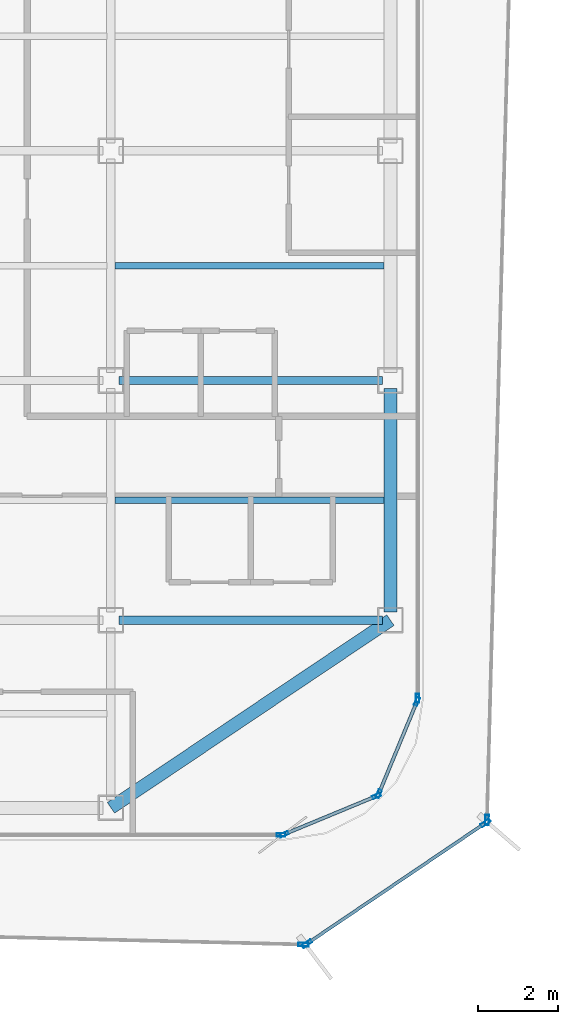
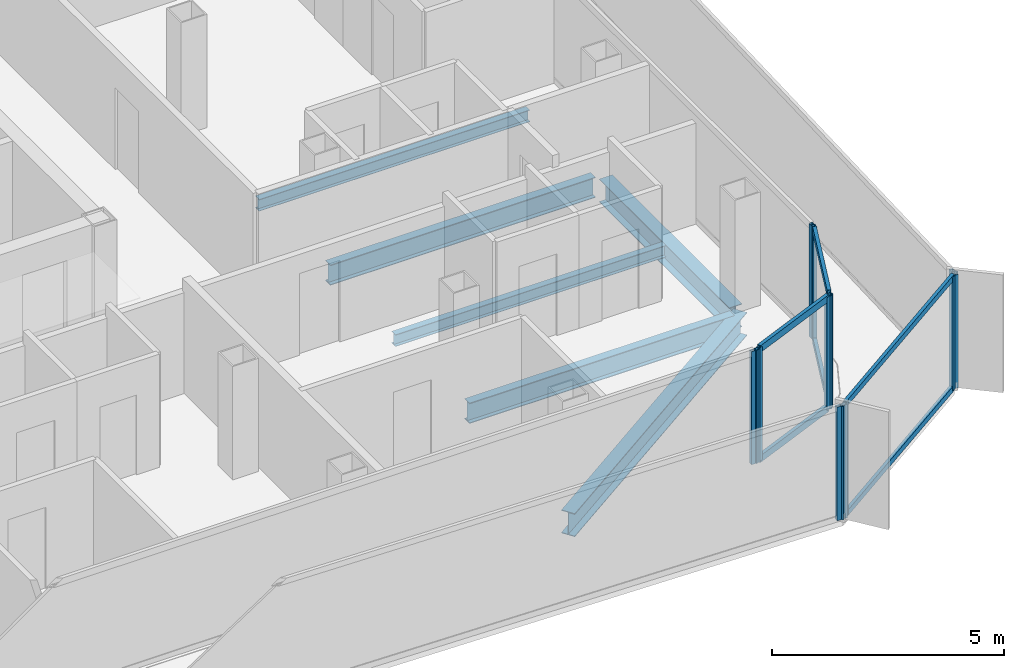
# One storey, part 4 of 15: 16 members, 6 beams, 7 elements without a shape of their own.
"""IFC4 building model written with IfcOpenShell, lengths in metres."""

from ifc_helpers import new_model, si_unit, direction, frame, origin, origin_2d, place, context, subcontext, project, spatial, hollow_rectangle, i_section, extrude, source, transform, mapped, material, layer, layer_set, material_profile, profile_set, type_object, element, aggregate, save


model = new_model("IFC4")

# Units and contexts
model_context = context("Model", 3, precision=1e-05, world=origin(), true_north=direction((0.0, 1.0)))
body_context = subcontext(model_context, "Body", "Model", "MODEL_VIEW")
ifc_project = project(units=[si_unit("LENGTHUNIT", "METRE"), si_unit("AREAUNIT", "SQUARE_METRE"), si_unit("VOLUMEUNIT", "CUBIC_METRE"), si_unit("PLANEANGLEUNIT", "RADIAN"), si_unit("MASSUNIT", "GRAM", prefix="KILO")], contexts=[model_context])

# Site, building, storey
site_placement = place(None, origin())
site = spatial("IfcSite", under=ifc_project, at=site_placement, CompositionType="ELEMENT")
building_placement = place(site_placement, origin())
building = spatial("IfcBuilding", under=site, at=building_placement, Name="Kolveth Station Tower", CompositionType="ELEMENT")
storey_placement = place(building_placement, frame((0.0, 0.0, 252.10009765625)))
storey = spatial("IfcBuildingStorey", under=building, at=storey_placement, Name="L72", CompositionType="ELEMENT", Elevation=252.10009765625)

# Beams
ifc_material_1 = material(Name="Steel S355", Category="steel")
ifc_material_profile_1 = material_profile(ifc_material_1, i_section(OverallWidth=0.323974609375, OverallDepth=0.611083984375, WebThickness=0.0126953125, FlangeThickness=0.01904296875, at=origin_2d()), Name="W610x155")
ifc_profile_set_1 = profile_set([ifc_material_profile_1], Name="Steel S355")
beam_type_1 = type_object("IfcBeamType", Name="Beam_SP2", PredefinedType="SPANDREL", material=ifc_profile_set_1)
shared_shape_1 = source(origin(), body_context, "Body", "SweptSolid", [
    extrude(i_section(OverallWidth=0.323974609375, OverallDepth=0.611083984375, WebThickness=0.0126953125, FlangeThickness=0.01904296875, at=origin_2d()), origin(), (0.0, 0.0, 1.0), 8.431396484375),
])
beam_1_placement = place(storey_placement, frame((34.0, 0.800048828125, -0.525634765625), z_axis=(0.830223811004, 0.557430196206, 0.0), x_axis=(-0.557430196206, 0.830223811004, 0.0)))
element("IfcBeam", 1, at=beam_1_placement, inside=storey, type_object=beam_type_1, Name="L72 Corner Edge Girder BM-L72-CNR-SE", PredefinedType="SPANDREL", context=body_context, shape_type="MappedRepresentation", body=[
    mapped(shared_shape_1, transform((0.0, 0.0, 0.0), x_axis=(1.0, 0.0, 0.0), y_axis=(0.0, 1.0, 0.0), z_axis=(0.0, 0.0, 1.0), scale=1.0)),
])
shared_shape_2 = source(origin(), body_context, "Body", "SweptSolid", [
    extrude(i_section(OverallWidth=0.323974609375, OverallDepth=0.611083984375, WebThickness=0.0126953125, FlangeThickness=0.01904296875, at=origin_2d()), origin(), (0.0, 0.0, 1.0), 5.60009765625),
])
beam_2_placement = place(storey_placement, frame((41.0, 5.699951171875, -0.525634765625), z_axis=(0.0, 1.0, 0.0), x_axis=(-1.0, 0.0, 0.0)))
element("IfcBeam", 2, at=beam_2_placement, inside=storey, type_object=beam_type_1, Name="L72 Perimeter Spandrel BM-L72-PE-1", PredefinedType="SPANDREL", context=body_context, shape_type="MappedRepresentation", body=[
    mapped(shared_shape_2, transform((0.0, 0.0, 0.0), x_axis=(1.0, 0.0, 0.0), y_axis=(0.0, 1.0, 0.0), z_axis=(0.0, 0.0, 1.0), scale=1.0)),
])
ifc_material_profile_2 = material_profile(ifc_material_1, i_section(OverallWidth=0.2099609375, OverallDepth=0.537109375, WebThickness=0.010986328125, FlangeThickness=0.017333984375, at=origin_2d()), Name="W530x101")
ifc_profile_set_2 = profile_set([ifc_material_profile_2], Name="Steel S355")
beam_type_2 = type_object("IfcBeamType", Name="Beam_B6", PredefinedType="BEAM", material=ifc_profile_set_2)
shared_shape_3 = source(origin(), body_context, "Body", "SweptSolid", [
    extrude(i_section(OverallWidth=0.2099609375, OverallDepth=0.537109375, WebThickness=0.010986328125, FlangeThickness=0.017333984375, at=origin_2d()), origin(), (0.0, 0.0, 1.0), 6.60009765625),
])
for number, where, z_axis, x_axis, name in (
    (3, (34.199951171875, 5.5, -0.488525390625), (1.0, 0.0, 0.0), (0.0, 1.0, 0.0), "L72 Primary Girder BM-L72-GY55-5"),
    (4, (34.199951171875, 11.5, -0.488525390625), (1.0, 0.0, 0.0), (0.0, 1.0, 0.0), "L72 Primary Girder BM-L72-GY115-5"),
):
    element("IfcBeam", number, at=place(storey_placement, frame(where, z_axis=z_axis, x_axis=x_axis)), inside=storey, type_object=beam_type_2, Name=name, PredefinedType="BEAM", context=body_context, shape_type="MappedRepresentation", body=[
        mapped(shared_shape_3, transform((0.0, 0.0, 0.0), x_axis=(1.0, 0.0, 0.0), y_axis=(0.0, 1.0, 0.0), z_axis=(0.0, 0.0, 1.0), scale=1.0)),
    ])
ifc_material_profile_3 = material_profile(ifc_material_1, i_section(OverallWidth=0.1650390625, OverallDepth=0.31005859375, WebThickness=0.005859375, FlangeThickness=0.009765625, at=origin_2d()), Name="W310x39")
ifc_profile_set_3 = profile_set([ifc_material_profile_3], Name="Steel S355")
beam_type_3 = type_object("IfcBeamType", Name="Beam_J3", PredefinedType="JOIST", material=ifc_profile_set_3)
shared_shape_4 = source(origin(), body_context, "Body", "SweptSolid", [
    extrude(i_section(OverallWidth=0.1650390625, OverallDepth=0.31005859375, WebThickness=0.005859375, FlangeThickness=0.009765625, at=origin_2d()), origin(), (0.0, 0.0, 1.0), 6.737060546875),
])
for number, where, z_axis, x_axis, name in (
    (5, (34.10302734375, 8.5, -0.375), (1.0, 0.0, 0.0), (0.0, 1.0, 0.0), "L72 Secondary Joist JST-L72-5-2"),
    (6, (34.10302734375, 14.375, -0.375), (1.0, 0.0, 0.0), (0.0, 1.0, 0.0), "L72 Secondary Joist JST-L72-5-3"),
):
    element("IfcBeam", number, at=place(storey_placement, frame(where, z_axis=z_axis, x_axis=x_axis)), inside=storey, type_object=beam_type_3, Name=name, PredefinedType="JOIST", context=body_context, shape_type="MappedRepresentation", body=[
        mapped(shared_shape_4, transform((0.0, 0.0, 0.0), x_axis=(1.0, 0.0, 0.0), y_axis=(0.0, 1.0, 0.0), z_axis=(0.0, 0.0, 1.0), scale=1.0)),
    ])

# Curtain wall, members
ifc_material_2 = material(Name="Black anodized aluminium 6063-T6 and dark solar glass", Category="aluminium")
ifc_layer_1 = layer(ifc_material_2, 0.159912109375)
ifc_layer_set_1 = layer_set([ifc_layer_1], Name="Black anodized aluminium 6063-T6 and dark solar glass")
curtain_wall_type_1 = type_object("IfcCurtainWallType", Name="OUTER SKIN CW-OS", PredefinedType="NOTDEFINED", material=ifc_layer_set_1)
curtain_wall_1_placement = place(storey_placement, origin())
curtain_wall_1 = element("IfcCurtainWall", 7, at=curtain_wall_1_placement, inside=storey, type_object=curtain_wall_type_1, Name="L72 Outer Ventilated Skin Curtain Wall 1", PredefinedType="NOTDEFINED")
ifc_material_3 = material(Name="Black anodized aluminium 6063-T6", Category="aluminium")
ifc_material_profile_4 = material_profile(ifc_material_3, hollow_rectangle(XDim=0.090087890625, YDim=0.260009765625, WallThickness=0.0048828125, at=origin_2d()), Name="ALU-90x260x5")
ifc_profile_set_4 = profile_set([ifc_material_profile_4], Name="Black anodized aluminium 6063-T6")
member_type_1 = type_object("IfcMemberType", Name="FIN MULLION ML-OS", PredefinedType="MULLION", material=ifc_profile_set_4)
shared_shape_5 = source(origin(), body_context, "Body", "SweptSolid", [
    extrude(hollow_rectangle(XDim=0.090087890625, YDim=0.260009765625, WallThickness=0.0048828125, at=origin_2d()), origin(), (0.0, 0.0, 1.0), 2.989990234375),
])
member_1_placement = place(storey_placement, frame((38.907958984375, -2.603515625, 0.0), z_axis=(0.0, 0.0, 1.0), x_axis=(-0.560114217497, 0.828415392999, 0.0)))
member_1 = element("IfcMember", 8, at=member_1_placement, type_object=member_type_1, Name="CW-OS mullion 1", PredefinedType="MULLION", context=body_context, shape_type="MappedRepresentation", body=[
    mapped(shared_shape_5, transform((0.0, 0.0, 0.0), x_axis=(1.0, 0.0, 0.0), y_axis=(0.0, 1.0, 0.0), z_axis=(0.0, 0.0, 1.0), scale=1.0)),
])
member_2_placement = place(storey_placement, frame((43.382080078125, 0.421630859375, 0.0), z_axis=(0.0, 0.0, 1.0), x_axis=(-0.560114217497, 0.828415392999, 0.0)))
member_2 = element("IfcMember", 9, at=member_2_placement, type_object=member_type_1, Name="CW-OS mullion 2", PredefinedType="MULLION", context=body_context, shape_type="MappedRepresentation", body=[
    mapped(shared_shape_5, transform((0.0, 0.0, 0.0), x_axis=(1.0, 0.0, 0.0), y_axis=(0.0, 1.0, 0.0), z_axis=(0.0, 0.0, 1.0), scale=1.0)),
])

# Curtain wall, member
curtain_wall_2_placement = place(storey_placement, origin())
curtain_wall_2 = element("IfcCurtainWall", 10, at=curtain_wall_2_placement, inside=storey, type_object=curtain_wall_type_1, Name="L72 Outer Ventilated Skin Curtain Wall 2", PredefinedType="NOTDEFINED")
member_3_placement = place(storey_placement, frame((43.42041015625, 0.491943359375, 0.0), z_axis=(0.0, 0.0, 1.0), x_axis=(-0.999647203254, 0.026560666911, 0.0)))
member_3 = element("IfcMember", 11, at=member_3_placement, type_object=member_type_1, Name="CW-OS mullion 1", PredefinedType="MULLION", context=body_context, shape_type="MappedRepresentation", body=[
    mapped(shared_shape_5, transform((0.0, 0.0, 0.0), x_axis=(1.0, 0.0, 0.0), y_axis=(0.0, 1.0, 0.0), z_axis=(0.0, 0.0, 1.0), scale=1.0)),
])
aggregate(curtain_wall_2, [member_3])

curtain_wall_3_placement = place(storey_placement, origin())
curtain_wall_3 = element("IfcCurtainWall", 12, at=curtain_wall_3_placement, inside=storey, type_object=curtain_wall_type_1, Name="L72 Outer Ventilated Skin Curtain Wall 8", PredefinedType="NOTDEFINED")
member_4_placement = place(storey_placement, frame((38.82568359375, -2.62744140625, 0.0), z_axis=(0.0, 0.0, 1.0), x_axis=(0.024461755119, 0.999700766498, 0.0)))
member_4 = element("IfcMember", 13, at=member_4_placement, type_object=member_type_1, Name="CW-OS mullion 2", PredefinedType="MULLION", context=body_context, shape_type="MappedRepresentation", body=[
    mapped(shared_shape_5, transform((0.0, 0.0, 0.0), x_axis=(1.0, 0.0, 0.0), y_axis=(0.0, 1.0, 0.0), z_axis=(0.0, 0.0, 1.0), scale=1.0)),
])
aggregate(curtain_wall_3, [member_4])

# Curtain wall, members
ifc_material_4 = material(Name="Aluminium 6063-T6 and triple low-E dark glass", Category="aluminium")
ifc_layer_2 = layer(ifc_material_4, 0.199951171875)
ifc_layer_set_2 = layer_set([ifc_layer_2], Name="Aluminium 6063-T6 and triple low-E dark glass")
curtain_wall_type_2 = type_object("IfcCurtainWallType", Name="CurtainWall_CW-Z3", PredefinedType="NOTDEFINED", material=ifc_layer_set_2)
curtain_wall_4_placement = place(storey_placement, origin())
curtain_wall_4 = element("IfcCurtainWall", 14, at=curtain_wall_4_placement, inside=storey, type_object=curtain_wall_type_2, Name="L72 Inner Thermal Curtain Wall 1", PredefinedType="NOTDEFINED")
ifc_material_profile_5 = material_profile(ifc_material_3, hollow_rectangle(XDim=0.0849609375, YDim=0.215087890625, WallThickness=0.0048828125, at=origin_2d()), Name="ALU-85x215x5")
ifc_profile_set_5 = profile_set([ifc_material_profile_5], Name="Black anodized aluminium 6063-T6")
member_type_2 = type_object("IfcMemberType", Name="Mullion_ML3", PredefinedType="MULLION", material=ifc_profile_set_5)
shared_shape_6 = source(origin(), body_context, "Body", "SweptSolid", [
    extrude(hollow_rectangle(XDim=0.0849609375, YDim=0.215087890625, WallThickness=0.0048828125, at=origin_2d()), origin(), (0.0, 0.0, 1.0), 2.97998046875),
])
member_5_placement = place(storey_placement, frame((38.33935546875, 0.13623046875, 0.0), z_axis=(0.0, 0.0, 1.0), x_axis=(-0.382693194181, 0.923875488975, 0.0)))
member_5 = element("IfcMember", 15, at=member_5_placement, type_object=member_type_2, Name="CW-Z3 mullion 1", PredefinedType="MULLION", context=body_context, shape_type="MappedRepresentation", body=[
    mapped(shared_shape_6, transform((0.0, 0.0, 0.0), x_axis=(1.0, 0.0, 0.0), y_axis=(0.0, 1.0, 0.0), z_axis=(0.0, 0.0, 1.0), scale=1.0)),
])
member_6_placement = place(storey_placement, frame((40.650634765625, 1.09375, 0.0), z_axis=(0.0, 0.0, 1.0), x_axis=(-0.382693194181, 0.923875488975, 0.0)))
member_6 = element("IfcMember", 16, at=member_6_placement, type_object=member_type_2, Name="CW-Z3 mullion 2", PredefinedType="MULLION", context=body_context, shape_type="MappedRepresentation", body=[
    mapped(shared_shape_6, transform((0.0, 0.0, 0.0), x_axis=(1.0, 0.0, 0.0), y_axis=(0.0, 1.0, 0.0), z_axis=(0.0, 0.0, 1.0), scale=1.0)),
])

curtain_wall_5_placement = place(storey_placement, origin())
curtain_wall_5 = element("IfcCurtainWall", 17, at=curtain_wall_5_placement, inside=storey, type_object=curtain_wall_type_2, Name="L72 Inner Thermal Curtain Wall 2", PredefinedType="NOTDEFINED")
member_7_placement = place(storey_placement, frame((40.706298828125, 1.149169921875, 0.0), z_axis=(0.0, 0.0, 1.0), x_axis=(-0.923875488975, 0.382693194181, 0.0)))
member_7 = element("IfcMember", 18, at=member_7_placement, type_object=member_type_2, Name="CW-Z3 mullion 1", PredefinedType="MULLION", context=body_context, shape_type="MappedRepresentation", body=[
    mapped(shared_shape_6, transform((0.0, 0.0, 0.0), x_axis=(1.0, 0.0, 0.0), y_axis=(0.0, 1.0, 0.0), z_axis=(0.0, 0.0, 1.0), scale=1.0)),
])
member_8_placement = place(storey_placement, frame((41.663818359375, 3.460693359375, 0.0), z_axis=(0.0, 0.0, 1.0), x_axis=(-0.923875488975, 0.382693194181, 0.0)))
member_8 = element("IfcMember", 19, at=member_8_placement, type_object=member_type_2, Name="CW-Z3 mullion 2", PredefinedType="MULLION", context=body_context, shape_type="MappedRepresentation", body=[
    mapped(shared_shape_6, transform((0.0, 0.0, 0.0), x_axis=(1.0, 0.0, 0.0), y_axis=(0.0, 1.0, 0.0), z_axis=(0.0, 0.0, 1.0), scale=1.0)),
])

# Curtain wall, member
curtain_wall_6_placement = place(storey_placement, origin())
curtain_wall_6 = element("IfcCurtainWall", 20, at=curtain_wall_6_placement, inside=storey, type_object=curtain_wall_type_2, Name="L72 Inner Thermal Curtain Wall 3", PredefinedType="NOTDEFINED")
member_9_placement = place(storey_placement, frame((41.679931640625, 3.54248046875, 0.0), z_axis=(0.0, 0.0, 1.0), x_axis=(-1.0, 0.0, 0.0)))
member_9 = element("IfcMember", 21, at=member_9_placement, type_object=member_type_2, Name="CW-Z3 mullion 1", PredefinedType="MULLION", context=body_context, shape_type="MappedRepresentation", body=[
    mapped(shared_shape_6, transform((0.0, 0.0, 0.0), x_axis=(1.0, 0.0, 0.0), y_axis=(0.0, 1.0, 0.0), z_axis=(0.0, 0.0, 1.0), scale=1.0)),
])
aggregate(curtain_wall_6, [member_9])

curtain_wall_7_placement = place(storey_placement, origin())
curtain_wall_7 = element("IfcCurtainWall", 22, at=curtain_wall_7_placement, inside=storey, type_object=curtain_wall_type_2, Name="L72 Inner Thermal Curtain Wall 12", PredefinedType="NOTDEFINED")
member_10_placement = place(storey_placement, frame((38.257568359375, 0.1201171875, 0.0), z_axis=(0.0, 0.0, 1.0), x_axis=(0.0, 1.0, 0.0)))
member_10 = element("IfcMember", 23, at=member_10_placement, type_object=member_type_2, Name="CW-Z3 mullion 2", PredefinedType="MULLION", context=body_context, shape_type="MappedRepresentation", body=[
    mapped(shared_shape_6, transform((0.0, 0.0, 0.0), x_axis=(1.0, 0.0, 0.0), y_axis=(0.0, 1.0, 0.0), z_axis=(0.0, 0.0, 1.0), scale=1.0)),
])
aggregate(curtain_wall_7, [member_10])

# Member
ifc_material_profile_6 = material_profile(ifc_material_3, hollow_rectangle(XDim=0.0849609375, YDim=0.179931640625, WallThickness=0.0048828125, at=origin_2d()), Name="ALU-85x180x5")
ifc_profile_set_6 = profile_set([ifc_material_profile_6], Name="Black anodized aluminium 6063-T6")
member_type_3 = type_object("IfcMemberType", Name="Transom_TR3", PredefinedType="USERDEFINED", material=ifc_profile_set_6)
shared_shape_7 = source(origin(), body_context, "Body", "SweptSolid", [
    extrude(hollow_rectangle(XDim=0.0849609375, YDim=0.179931640625, WallThickness=0.0048828125, at=origin_2d()), origin(), (0.0, 0.0, 1.0), 2.4169921875),
])
member_11_placement = place(storey_placement, frame((38.37841796875, 0.152587890625, 0.04248046875), z_axis=(0.923908507952, 0.382613471971, 0.0), x_axis=(-0.382613471971, 0.923908507952, 0.0)))
member_11 = element("IfcMember", 24, at=member_11_placement, type_object=member_type_3, Name="CW-Z3 transom 1.1", ObjectType="TRANSOM", PredefinedType="USERDEFINED", context=body_context, shape_type="MappedRepresentation", body=[
    mapped(shared_shape_7, transform((0.0, 0.0, 0.0), x_axis=(1.0, 0.0, 0.0), y_axis=(0.0, 1.0, 0.0), z_axis=(0.0, 0.0, 1.0), scale=1.0)),
])

member_12_placement = place(storey_placement, frame((38.37841796875, 0.152587890625, 2.9375), z_axis=(0.923908507952, 0.382613471971, 0.0), x_axis=(-0.382613471971, 0.923908507952, 0.0)))
member_12 = element("IfcMember", 25, at=member_12_placement, type_object=member_type_3, Name="CW-Z3 transom 1.2", ObjectType="TRANSOM", PredefinedType="USERDEFINED", context=body_context, shape_type="MappedRepresentation", body=[
    mapped(shared_shape_7, transform((0.0, 0.0, 0.0), x_axis=(1.0, 0.0, 0.0), y_axis=(0.0, 1.0, 0.0), z_axis=(0.0, 0.0, 1.0), scale=1.0)),
])

aggregate(curtain_wall_4, [member_5, member_6, member_11, member_12])

member_13_placement = place(storey_placement, frame((40.722412109375, 1.1884765625, 0.04248046875), z_axis=(0.382735401206, 0.9238580046, 0.0), x_axis=(-0.9238580046, 0.382735401206, 0.0)))
member_13 = element("IfcMember", 26, at=member_13_placement, type_object=member_type_3, Name="CW-Z3 transom 1.1", ObjectType="TRANSOM", PredefinedType="USERDEFINED", context=body_context, shape_type="MappedRepresentation", body=[
    mapped(shared_shape_7, transform((0.0, 0.0, 0.0), x_axis=(1.0, 0.0, 0.0), y_axis=(0.0, 1.0, 0.0), z_axis=(0.0, 0.0, 1.0), scale=1.0)),
])

member_14_placement = place(storey_placement, frame((40.722412109375, 1.1884765625, 2.9375), z_axis=(0.382735401206, 0.9238580046, 0.0), x_axis=(-0.9238580046, 0.382735401206, 0.0)))
member_14 = element("IfcMember", 27, at=member_14_placement, type_object=member_type_3, Name="CW-Z3 transom 1.2", ObjectType="TRANSOM", PredefinedType="USERDEFINED", context=body_context, shape_type="MappedRepresentation", body=[
    mapped(shared_shape_7, transform((0.0, 0.0, 0.0), x_axis=(1.0, 0.0, 0.0), y_axis=(0.0, 1.0, 0.0), z_axis=(0.0, 0.0, 1.0), scale=1.0)),
])

aggregate(curtain_wall_5, [member_7, member_8, member_13, member_14])

ifc_material_profile_7 = material_profile(ifc_material_3, hollow_rectangle(XDim=0.080078125, YDim=0.14990234375, WallThickness=0.0048828125, at=origin_2d()), Name="ALU-80x150x5")
ifc_profile_set_7 = profile_set([ifc_material_profile_7], Name="Black anodized aluminium 6063-T6")
member_type_4 = type_object("IfcMemberType", Name="Transom_TR-OS", PredefinedType="USERDEFINED", material=ifc_profile_set_7)
shared_shape_8 = source(origin(), body_context, "Body", "SweptSolid", [
    extrude(hollow_rectangle(XDim=0.080078125, YDim=0.14990234375, WallThickness=0.0048828125, at=origin_2d()), origin(), (0.0, 0.0, 1.0), 5.310791015625),
])
member_15_placement = place(storey_placement, frame((38.945068359375, -2.578125, 0.039794921875), z_axis=(0.828425825238, 0.560098787786, 0.0), x_axis=(-0.560098787786, 0.828425825238, 0.0)))
member_15 = element("IfcMember", 28, at=member_15_placement, type_object=member_type_4, Name="CW-OS transom 1.1", ObjectType="TRANSOM", PredefinedType="USERDEFINED", context=body_context, shape_type="MappedRepresentation", body=[
    mapped(shared_shape_8, transform((0.0, 0.0, 0.0), x_axis=(1.0, 0.0, 0.0), y_axis=(0.0, 1.0, 0.0), z_axis=(0.0, 0.0, 1.0), scale=1.0)),
])

member_16_placement = place(storey_placement, frame((38.945068359375, -2.578125, 2.949951171875), z_axis=(0.828425825238, 0.560098787786, 0.0), x_axis=(-0.560098787786, 0.828425825238, 0.0)))
member_16 = element("IfcMember", 29, at=member_16_placement, type_object=member_type_4, Name="CW-OS transom 1.2", ObjectType="TRANSOM", PredefinedType="USERDEFINED", context=body_context, shape_type="MappedRepresentation", body=[
    mapped(shared_shape_8, transform((0.0, 0.0, 0.0), x_axis=(1.0, 0.0, 0.0), y_axis=(0.0, 1.0, 0.0), z_axis=(0.0, 0.0, 1.0), scale=1.0)),
])

aggregate(curtain_wall_1, [member_1, member_2, member_15, member_16])

save(model, "model.ifc")
